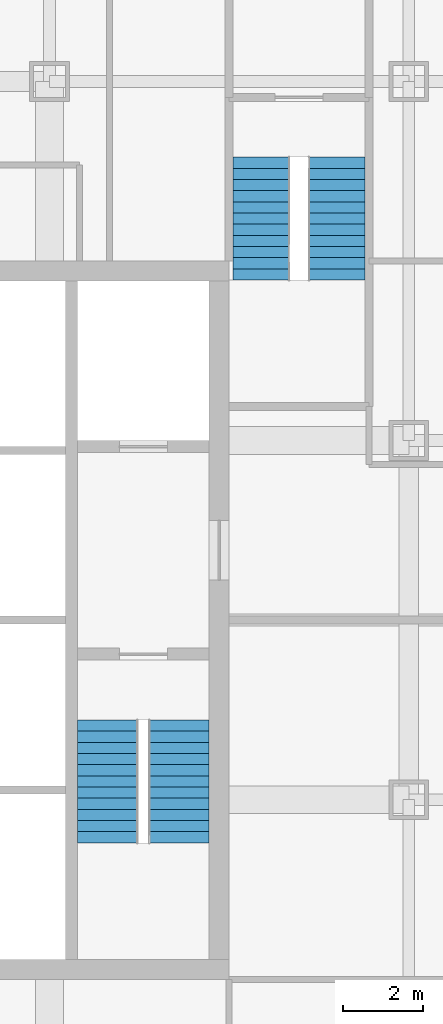
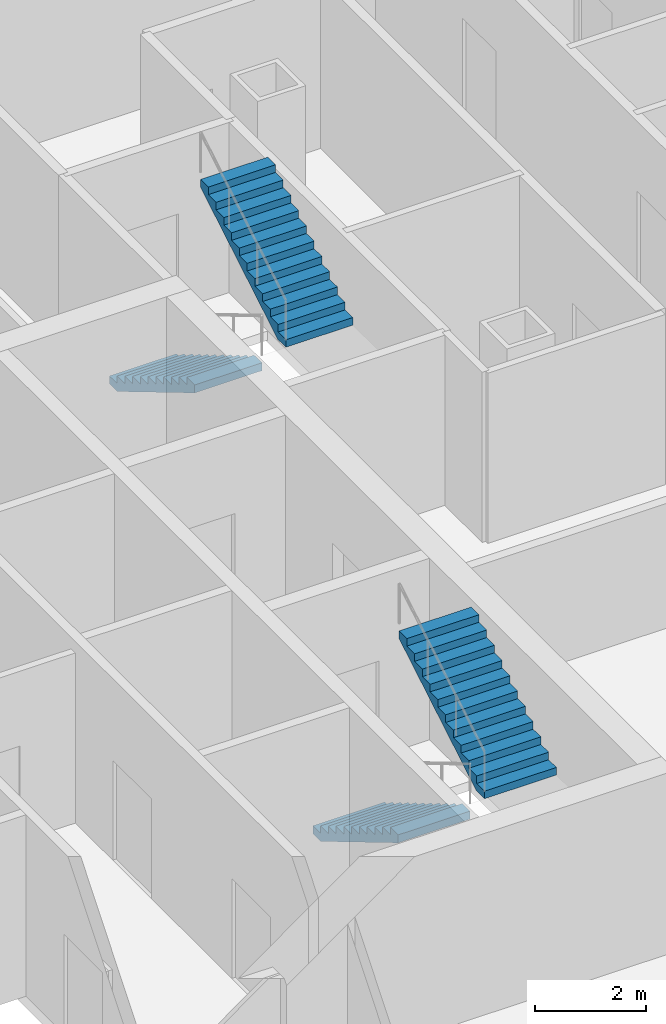
# One storey, part 12 of 17: 4 stair flights, 2 elements without a shape of their own.
"""IFC4 building model written with IfcOpenShell, lengths in metres."""

import ifcopenshell
import ifcopenshell.guid

model = None  # the IFC model being written
_history = None  # IfcOwnerHistory: only IFC2X3 demands one
_inside = {}  # id of a spatial element -> (the spatial element, [elements in it])
_under = {}  # id of a project, library or spatial element -> (it, [spatial elements below it])
_declared = {}  # id of a project -> (the project, [libraries it declares])
_typed = {}  # id of a type object -> (the type object, [elements of that type])
_made_of = {}  # id of a material, layer set ... -> (it, [elements and type objects made of it])


def new_model(schema):
    """Start an empty IFC model of exactly this schema.

    Asked for "IFC4X3", IfcOpenShell would pick the latest addendum, in which some entities
    have other attributes; the version numbers below select the first issue.
    IFC2X3 requires an IfcOwnerHistory on every rooted entity: one is made here for all.
    """
    global model, _history
    if schema == "IFC4X3":
        model = ifcopenshell.file(schema_version=(4, 3, 0, 0))
    else:
        model = ifcopenshell.file(schema=schema)
    _inside.clear()
    _under.clear()
    _declared.clear()
    _typed.clear()
    _made_of.clear()
    _history = None
    if model.schema == "IFC2X3":
        org = make("IfcOrganization", Name="unknown")
        user = make(
            "IfcPersonAndOrganization",
            ThePerson=make("IfcPerson", FamilyName="unknown"),
            TheOrganization=org,
        )
        app = make(
            "IfcApplication",
            ApplicationDeveloper=org,
            Version="unknown",
            ApplicationFullName="unknown",
            ApplicationIdentifier="unknown",
        )
        _history = make(
            "IfcOwnerHistory",
            OwningUser=user,
            OwningApplication=app,
            ChangeAction="ADDED",
            CreationDate=0,
        )
    return model


def make(cls, **values):
    """One entity of the class cls with the attributes given. An attribute that is None is left unset."""
    return model.create_entity(
        cls, **{name: value for name, value in values.items() if value is not None}
    )


def rooted(cls, **values):
    """An entity with a GlobalId (a new one), such as an element, a storey or a relation."""
    return make(cls, GlobalId=ifcopenshell.guid.new(), OwnerHistory=_history, **values)


def si_unit(unit_type, name, prefix=None):
    """IfcSIUnit, for example si_unit("LENGTHUNIT", "METRE", prefix="MILLI")."""
    return make("IfcSIUnit", UnitType=unit_type, Prefix=prefix, Name=name)


def assignment(units):
    """IfcUnitAssignment: the units of a project."""
    return None if units is None else make("IfcUnitAssignment", Units=units)


def point(xyz):
    """IfcCartesianPoint."""
    return None if xyz is None else make("IfcCartesianPoint", Coordinates=xyz)


def direction(xyz):
    """IfcDirection."""
    return None if xyz is None else make("IfcDirection", DirectionRatios=xyz)


def frame(location, z_axis=None, x_axis=None):
    """IfcAxis2Placement3D, a coordinate frame: its origin and axes. An axis left out is left unset."""
    return make(
        "IfcAxis2Placement3D",
        Location=point(location),
        Axis=direction(z_axis),
        RefDirection=direction(x_axis),
    )


def origin():
    """The frame at (0, 0, 0) with its axes left unset."""
    return frame((0.0, 0.0, 0.0))


def place(relative_to, where):
    """IfcLocalPlacement: puts the frame where relative to a parent placement (None: the world)."""
    return make(
        "IfcLocalPlacement", PlacementRelTo=relative_to, RelativePlacement=where
    )


def context(
    kind, dimensions, precision=None, world=None, true_north=None, identifier=None
):
    """IfcGeometricRepresentationContext, for example the 3D "Model" context."""
    return make(
        "IfcGeometricRepresentationContext",
        ContextIdentifier=identifier,
        ContextType=kind,
        CoordinateSpaceDimension=dimensions,
        Precision=precision,
        WorldCoordinateSystem=world,
        TrueNorth=true_north,
    )


def subcontext(parent, identifier, kind, view, scale=None):
    """IfcGeometricRepresentationSubContext, for example "Body" below "Model"."""
    return make(
        "IfcGeometricRepresentationSubContext",
        ContextIdentifier=identifier,
        ContextType=kind,
        ParentContext=parent,
        TargetScale=scale,
        TargetView=view,
    )


def project(units=None, contexts=None):
    """IfcProject with its units and contexts."""
    return rooted(
        "IfcProject",
        Name="project",
        RepresentationContexts=contexts,
        UnitsInContext=assignment(units),
    )


def spatial(cls, under=None, at=None, **own):
    """A site, building, storey or space (cls), placed at a placement, below another one or the project."""
    s = rooted(cls, ObjectPlacement=at, **own)
    if under is not None:
        _under.setdefault(under.id(), (under, []))[1].append(s)
    return s


def polyline(points):
    """IfcPolyline through the points."""
    return make("IfcPolyline", Points=[point(p) for p in points])


def outline(outer, holes=None, kind="AREA"):
    """IfcArbitraryClosedProfileDef: a profile drawn as a closed curve; with holes, ...WithVoids."""
    if holes is None:
        return make("IfcArbitraryClosedProfileDef", ProfileType=kind, OuterCurve=outer)
    return make(
        "IfcArbitraryProfileDefWithVoids",
        ProfileType=kind,
        OuterCurve=outer,
        InnerCurves=holes,
    )


def extrude(swept, where, along, depth):
    """IfcExtrudedAreaSolid: the profile swept, set in the frame where, extruded along a direction by depth."""
    return make(
        "IfcExtrudedAreaSolid",
        SweptArea=swept,
        Position=where,
        ExtrudedDirection=direction(along),
        Depth=depth,
    )


def shape(context_of_items, identifier, shape_type, items):
    """IfcShapeRepresentation: the items that make up one representation, for example the "Body"."""
    return make(
        "IfcShapeRepresentation",
        ContextOfItems=context_of_items,
        RepresentationIdentifier=identifier,
        RepresentationType=shape_type,
        Items=items,
    )


def material(Name=None, Category=None):
    """IfcMaterial."""
    return make("IfcMaterial", Name=Name, Category=Category)


def made_of(thing, what):
    """Note that an element or type object is made of a material, layer set ...; save() writes the relation."""
    if what is not None:
        _made_of.setdefault(what.id(), (what, []))[1].append(thing)
    return thing


def type_object(cls, material=None, **own):
    """A type object (cls), such as IfcWallType, which elements share."""
    return made_of(rooted(cls, **own), material)


def element(
    cls,
    number,
    at=None,
    inside=None,
    cuts=None,
    type_object=None,
    material=None,
    context=None,
    identifier="Body",
    shape_type=None,
    held_by="IfcProductDefinitionShape",
    body=None,
    shapes=None,
    **own,
):
    """One element of the class cls, such as IfcWall. Its Tag is "e" and its number.

    at: its placement. inside: the storey or other place that contains it. cuts: it is an
    opening in that element (IfcRelVoidsElement). A single representation is given by context,
    identifier, shape_type and body (its items); several are given by shapes. held_by: the class
    of the entity that holds the representations. save() writes the other relations.
    """
    e = rooted(cls, Tag="e%d" % number, ObjectPlacement=at, **own)
    if body is not None:
        shapes = [shape(context, identifier, shape_type, body)]
    if shapes is not None:
        e.Representation = make(held_by, Representations=shapes)
    if inside is not None:
        _inside.setdefault(inside.id(), (inside, []))[1].append(e)
    if cuts is not None:
        rooted(
            "IfcRelVoidsElement", RelatingBuildingElement=cuts, RelatedOpeningElement=e
        )
    if type_object is not None:
        _typed.setdefault(type_object.id(), (type_object, []))[1].append(e)
    return made_of(e, material)


def aggregate(whole, parts):
    """IfcRelAggregates: a whole, such as a stair, and the parts it consists of."""
    return rooted("IfcRelAggregates", RelatingObject=whole, RelatedObjects=parts)


def save(model, path):
    """Write the relations noted so far, then the file.

    IfcRelAggregates (storeys below a building ...), IfcRelContainedInSpatialStructure (elements
    in a storey), IfcRelDefinesByType, IfcRelAssociatesMaterial and IfcRelDeclares: one each for
    every whole, place, type object, material and project.
    """
    for whole, parts in _under.values():
        aggregate(whole, parts)
    for where, things in _inside.values():
        rooted(
            "IfcRelContainedInSpatialStructure",
            RelatedElements=things,
            RelatingStructure=where,
        )
    for kind, things in _typed.values():
        rooted("IfcRelDefinesByType", RelatedObjects=things, RelatingType=kind)
    for what, things in _made_of.values():
        rooted("IfcRelAssociatesMaterial", RelatedObjects=things, RelatingMaterial=what)
    for by, libraries in _declared.values():
        rooted("IfcRelDeclares", RelatingContext=by, RelatedDefinitions=libraries)
    model.write(path)


model = new_model("IFC4")

# Units and contexts
model_context = context("Model", 3, precision=1e-05, world=origin(), true_north=direction((0.0, 1.0)))
body_context = subcontext(model_context, "Body", "Model", "MODEL_VIEW")
ifc_project = project(units=[si_unit("LENGTHUNIT", "METRE"), si_unit("AREAUNIT", "SQUARE_METRE"), si_unit("VOLUMEUNIT", "CUBIC_METRE"), si_unit("PLANEANGLEUNIT", "RADIAN"), si_unit("MASSUNIT", "GRAM", prefix="KILO")], contexts=[model_context])

# Site, building, storey
site_placement = place(None, origin())
site = spatial("IfcSite", under=ifc_project, at=site_placement, CompositionType="ELEMENT")
building_placement = place(site_placement, origin())
building = spatial("IfcBuilding", under=site, at=building_placement, Name="Malebo Sky Hospital", CompositionType="ELEMENT")
storey_placement = place(building_placement, frame((0.0, 0.0, 51.0)))
storey = spatial("IfcBuildingStorey", under=building, at=storey_placement, Name="L11", CompositionType="ELEMENT", Elevation=51.0)

# Stair, stair flights
ifc_material = material(Name="Concrete C40/50", Category="concrete")
stair_type_1 = type_object("IfcStairType", Name="HALF-TURN STAIR 1400 R167", PredefinedType="HALF_TURN_STAIR", material=ifc_material)
stair_1_placement = place(storey_placement, origin())
stair_1 = element("IfcStair", 1, at=stair_1_placement, inside=storey, type_object=stair_type_1, Name="Stair S3 L11 type ST1B", PredefinedType="HALF_TURN_STAIR")
stair_flight_type_1 = type_object("IfcStairFlightType", Name="STAIR FLIGHT 1400 R167", PredefinedType="STRAIGHT", material=ifc_material)
stair_flight_1_placement = place(storey_placement, frame((69.800048828125, 73.60009765625, 0.0), z_axis=(0.0, 0.0, 1.0), x_axis=(0.0, -1.0, 0.0)))
stair_flight_1 = element("IfcStairFlight", 2, at=stair_flight_1_placement, type_object=stair_flight_type_1, Name="S3 flight 1 type SF1B", NumberOfRisers=12, NumberOfTreads=11, PredefinedType="STRAIGHT", RiserHeight=0.166666667, TreadLength=0.28, context=body_context, shape_type="SweptSolid", body=[
    extrude(outline(polyline([(0.0, 0.0), (0.0, 0.166748046875), (0.280029296875, 0.166748046875), (0.280029296875, 0.333251953125), (0.56005859375, 0.333251953125), (0.56005859375, 0.5), (0.840087890625, 0.5), (0.840087890625, 0.666748046875), (1.1201171875, 0.666748046875), (1.1201171875, 0.833251953125), (1.39990234375, 0.833251953125), (1.39990234375, 1.0), (1.679931640625, 1.0), (1.679931640625, 1.166748046875), (1.9599609375, 1.166748046875), (1.9599609375, 1.333251953125), (2.239990234375, 1.333251953125), (2.239990234375, 1.5), (2.52001953125, 1.5), (2.52001953125, 1.666748046875), (2.800048828125, 1.666748046875), (2.800048828125, 1.833251953125), (3.080078125, 1.833251953125), (3.080078125, 2.0), (3.080078125, 1.658935546875), (0.29296875, 0.0), (0.0, 0.0)])), frame((0.0, 0.699951171875, 0.0), z_axis=(0.0, -1.0, 0.0), x_axis=(1.0, 0.0, 0.0)), (0.0, 0.0, 1.0), 1.39990234375),
])
stair_flight_2_placement = place(storey_placement, frame((71.699951171875, 70.52001953125, 2.0), z_axis=(0.0, 0.0, 1.0), x_axis=(0.0, 1.0, 0.0)))
stair_flight_2 = element("IfcStairFlight", 3, at=stair_flight_2_placement, type_object=stair_flight_type_1, Name="S3 flight 2 type SF1B", NumberOfRisers=12, NumberOfTreads=11, PredefinedType="STRAIGHT", RiserHeight=0.166666667, TreadLength=0.28, context=body_context, shape_type="SweptSolid", body=[
    extrude(outline(polyline([(0.0, 0.0), (0.0, 0.166748046875), (0.280029296875, 0.166748046875), (0.280029296875, 0.333251953125), (0.56005859375, 0.333251953125), (0.56005859375, 0.5), (0.840087890625, 0.5), (0.840087890625, 0.666748046875), (1.1201171875, 0.666748046875), (1.1201171875, 0.833251953125), (1.39990234375, 0.833251953125), (1.39990234375, 1.0), (1.679931640625, 1.0), (1.679931640625, 1.166748046875), (1.9599609375, 1.166748046875), (1.9599609375, 1.333251953125), (2.239990234375, 1.333251953125), (2.239990234375, 1.5), (2.52001953125, 1.5), (2.52001953125, 1.666748046875), (2.800048828125, 1.666748046875), (2.800048828125, 1.833251953125), (3.080078125, 1.833251953125), (3.080078125, 2.0), (3.080078125, 1.658935546875), (0.29296875, 0.0), (0.0, 0.0)])), frame((0.0, 0.699951171875, 0.0), z_axis=(0.0, -1.0, 0.0), x_axis=(1.0, 0.0, 0.0)), (0.0, 0.0, 1.0), 1.39990234375),
])
aggregate(stair_1, [stair_flight_1, stair_flight_2])

stair_type_2 = type_object("IfcStairType", Name="HALF-TURN STAIR 1500 R167", PredefinedType="HALF_TURN_STAIR", material=ifc_material)
stair_2_placement = place(storey_placement, origin())
stair_2 = element("IfcStair", 4, at=stair_2_placement, inside=storey, type_object=stair_type_2, Name="Stair S2 L11 type ST1", PredefinedType="HALF_TURN_STAIR")
stair_flight_type_2 = type_object("IfcStairFlightType", Name="STAIR FLIGHT 1500 R167", PredefinedType="STRAIGHT", material=ifc_material)
stair_flight_3_placement = place(storey_placement, frame((65.949951171875, 59.5, 0.0), z_axis=(0.0, 0.0, 1.0), x_axis=(0.0, -1.0, 0.0)))
stair_flight_3 = element("IfcStairFlight", 5, at=stair_flight_3_placement, type_object=stair_flight_type_2, Name="S2 flight 1 type SF1", NumberOfRisers=12, NumberOfTreads=11, PredefinedType="STRAIGHT", RiserHeight=0.166666667, TreadLength=0.28, context=body_context, shape_type="SweptSolid", body=[
    extrude(outline(polyline([(0.0, 0.0), (0.0, 0.166748046875), (0.280029296875, 0.166748046875), (0.280029296875, 0.333251953125), (0.56005859375, 0.333251953125), (0.56005859375, 0.5), (0.840087890625, 0.5), (0.840087890625, 0.666748046875), (1.1201171875, 0.666748046875), (1.1201171875, 0.833251953125), (1.39990234375, 0.833251953125), (1.39990234375, 1.0), (1.679931640625, 1.0), (1.679931640625, 1.166748046875), (1.9599609375, 1.166748046875), (1.9599609375, 1.333251953125), (2.239990234375, 1.333251953125), (2.239990234375, 1.5), (2.52001953125, 1.5), (2.52001953125, 1.666748046875), (2.800048828125, 1.666748046875), (2.800048828125, 1.833251953125), (3.080078125, 1.833251953125), (3.080078125, 2.0), (3.080078125, 1.658935546875), (0.29296875, 0.0), (0.0, 0.0)])), frame((0.0, 0.75, 0.0), z_axis=(0.0, -1.0, 0.0), x_axis=(1.0, 0.0, 0.0)), (0.0, 0.0, 1.0), 1.5),
])
stair_flight_4_placement = place(storey_placement, frame((67.75, 56.419921875, 2.0), z_axis=(0.0, 0.0, 1.0), x_axis=(0.0, 1.0, 0.0)))
stair_flight_4 = element("IfcStairFlight", 6, at=stair_flight_4_placement, type_object=stair_flight_type_2, Name="S2 flight 2 type SF1", NumberOfRisers=12, NumberOfTreads=11, PredefinedType="STRAIGHT", RiserHeight=0.166666667, TreadLength=0.28, context=body_context, shape_type="SweptSolid", body=[
    extrude(outline(polyline([(0.0, 0.0), (0.0, 0.166748046875), (0.280029296875, 0.166748046875), (0.280029296875, 0.333251953125), (0.56005859375, 0.333251953125), (0.56005859375, 0.5), (0.840087890625, 0.5), (0.840087890625, 0.666748046875), (1.1201171875, 0.666748046875), (1.1201171875, 0.833251953125), (1.39990234375, 0.833251953125), (1.39990234375, 1.0), (1.679931640625, 1.0), (1.679931640625, 1.166748046875), (1.9599609375, 1.166748046875), (1.9599609375, 1.333251953125), (2.239990234375, 1.333251953125), (2.239990234375, 1.5), (2.52001953125, 1.5), (2.52001953125, 1.666748046875), (2.800048828125, 1.666748046875), (2.800048828125, 1.833251953125), (3.080078125, 1.833251953125), (3.080078125, 2.0), (3.080078125, 1.658935546875), (0.29296875, 0.0), (0.0, 0.0)])), frame((0.0, 0.75, 0.0), z_axis=(0.0, -1.0, 0.0), x_axis=(1.0, 0.0, 0.0)), (0.0, 0.0, 1.0), 1.5),
])
aggregate(stair_2, [stair_flight_3, stair_flight_4])

save(model, "model.ifc")
